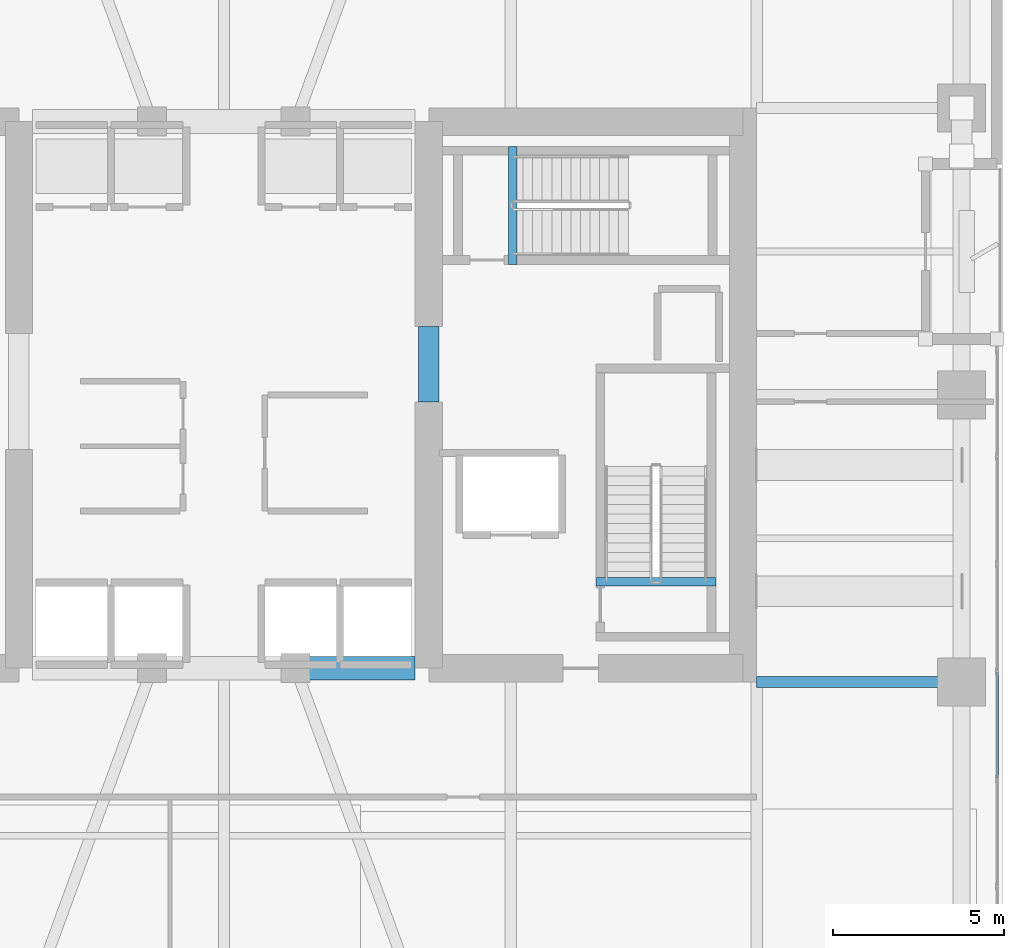
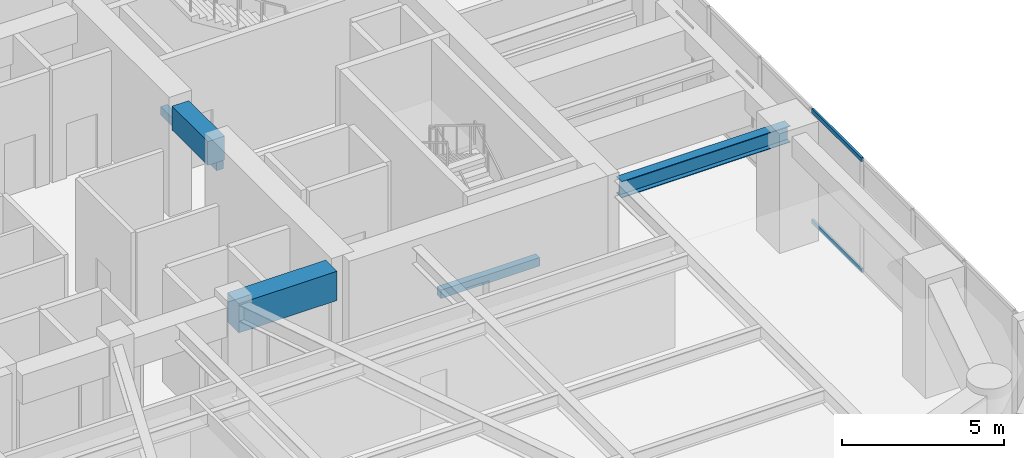
# One storey, part 5 of 23: 5 beams, 2 members, 1 element without a shape of its own.
"""IFC4 building model written with IfcOpenShell, lengths in metres."""

from ifc_helpers import new_model, si_unit, direction, frame, origin, origin_2d, place, context, subcontext, project, spatial, rectangle, hollow_rectangle, i_section, extrude, material, layer, layer_set, material_profile, profile_set, type_object, element, aggregate, save


model = new_model("IFC4")

# Units and contexts
model_context = context("Model", 3, precision=1e-05, world=origin(), true_north=direction((0.0, 1.0)))
body_context = subcontext(model_context, "Body", "Model", "MODEL_VIEW")
ifc_project = project(units=[si_unit("LENGTHUNIT", "METRE"), si_unit("AREAUNIT", "SQUARE_METRE"), si_unit("VOLUMEUNIT", "CUBIC_METRE"), si_unit("PLANEANGLEUNIT", "RADIAN"), si_unit("MASSUNIT", "GRAM", prefix="KILO")], contexts=[model_context])

# Site, building, storey
site_placement = place(None, origin())
site = spatial("IfcSite", under=ifc_project, at=site_placement, CompositionType="ELEMENT")
building_placement = place(site_placement, origin())
building = spatial("IfcBuilding", under=site, at=building_placement, Name="Kiyonajd Concourse Tower", CompositionType="ELEMENT")
storey_placement = place(building_placement, frame((0.0, 0.0, 120.89990234375)))
storey = spatial("IfcBuildingStorey", under=building, at=storey_placement, Name="L31", CompositionType="ELEMENT", Elevation=120.89990234375)

# Beams
ifc_material_1 = material(Name="Concrete C70/85", Category="concrete")
ifc_material_profile_1 = material_profile(ifc_material_1, rectangle(XDim=0.699951171875, YDim=1.10009765625, at=origin_2d()), Name="RCBM-700x1100")
ifc_profile_set_1 = profile_set([ifc_material_profile_1], Name="Concrete C70/85")
beam_type_1 = type_object("IfcBeamType", Name="BM-COUP-1100", PredefinedType="LINTEL", material=ifc_profile_set_1)
beam_1_placement = place(storey_placement, frame((50.10009765625, 28.0, 3.690185546875), z_axis=(1.0, 0.0, 0.0), x_axis=(0.0, 1.0, 0.0)))
element("IfcBeam", 1, at=beam_1_placement, inside=storey, type_object=beam_type_1, Name="L31 Core Coupling Beam S3", PredefinedType="LINTEL", context=body_context, shape_type="SweptSolid", body=[
    extrude(rectangle(XDim=0.699951171875, YDim=1.10009765625, at=origin_2d()), origin(), (0.0, 0.0, 1.0), 3.5),
])
ifc_material_2 = material(Name="Concrete C60/75", Category="concrete")
ifc_material_profile_2 = material_profile(ifc_material_2, rectangle(XDim=0.60009765625, YDim=0.89990234375, at=origin_2d()), Name="RCBM-600x900")
ifc_profile_set_2 = profile_set([ifc_material_profile_2], Name="Concrete C60/75")
beam_type_2 = type_object("IfcBeamType", Name="BM-COUP-900", PredefinedType="LINTEL", material=ifc_profile_set_2)
beam_2_placement = place(storey_placement, frame((54.0, 35.800048828125, 3.690185546875), z_axis=(0.0, 1.0, 0.0), x_axis=(-1.0, 0.0, 0.0)))
element("IfcBeam", 2, at=beam_2_placement, inside=storey, type_object=beam_type_2, Name="L31 East Core Throat Coupling Lintel", PredefinedType="LINTEL", context=body_context, shape_type="SweptSolid", body=[
    extrude(rectangle(XDim=0.60009765625, YDim=0.89990234375, at=origin_2d()), origin(), (0.0, 0.0, 1.0), 2.199951171875),
])
ifc_material_3 = material(Name="Concrete C50/60", Category="concrete")
ifc_material_profile_3 = material_profile(ifc_material_3, rectangle(XDim=0.239990234375, YDim=0.320068359375, at=origin_2d()), Name="RCBM-240x320")
ifc_profile_set_3 = profile_set([ifc_material_profile_3], Name="Concrete C50/60")
beam_type_3 = type_object("IfcBeamType", Name="BM-LNT-250", PredefinedType="LINTEL", material=ifc_profile_set_3)
beam_3_placement = place(storey_placement, frame((58.889892578125, 30.530029296875, -0.159912109375), z_axis=(1.0, 0.0, 0.0), x_axis=(0.0, 1.0, 0.0)))
element("IfcBeam", 3, at=beam_3_placement, inside=storey, type_object=beam_type_3, Name="L31 Stair ST2 Threshold Support Beam", PredefinedType="LINTEL", context=body_context, shape_type="SweptSolid", body=[
    extrude(rectangle(XDim=0.239990234375, YDim=0.320068359375, at=origin_2d()), origin(), (0.0, 0.0, 1.0), 3.52001953125),
])
beam_4_placement = place(storey_placement, frame((56.4599609375, 39.820068359375, -0.159912109375), z_axis=(0.0, 1.0, 0.0), x_axis=(-1.0, 0.0, 0.0)))
element("IfcBeam", 4, at=beam_4_placement, inside=storey, type_object=beam_type_3, Name="L31 Stair ST3 Threshold Support Beam", PredefinedType="LINTEL", context=body_context, shape_type="SweptSolid", body=[
    extrude(rectangle(XDim=0.239990234375, YDim=0.320068359375, at=origin_2d()), origin(), (0.0, 0.0, 1.0), 3.4599609375),
])
ifc_material_4 = material(Name="Steel ASTM A992 Grade 50", Category="steel")
ifc_material_profile_4 = material_profile(ifc_material_4, i_section(OverallWidth=0.326904296875, OverallDepth=0.6220703125, WebThickness=0.015380859375, FlangeThickness=0.0244140625, at=origin_2d()), Name="W610X195")
ifc_profile_set_4 = profile_set([ifc_material_profile_4], Name="Steel ASTM A992 Grade 50")
beam_type_4 = type_object("IfcBeamType", Name="BM-TWR-610A", PredefinedType="BEAM", material=ifc_profile_set_4)
beam_5_placement = place(storey_placement, frame((63.60009765625, 27.60009765625, 3.92919921875), z_axis=(1.0, 0.0, 0.0), x_axis=(0.0, 1.0, 0.0)))
element("IfcBeam", 5, at=beam_5_placement, inside=storey, type_object=beam_type_4, Name="L31 East Lease Girder", PredefinedType="BEAM", context=body_context, shape_type="SweptSolid", body=[
    extrude(i_section(OverallWidth=0.326904296875, OverallDepth=0.6220703125, WebThickness=0.015380859375, FlangeThickness=0.0244140625, at=origin_2d()), origin(), (0.0, 0.0, 1.0), 6.0),
])

# Curtain wall, members
ifc_material_5 = material(Name="Thermally Broken Anodised Aluminium", Category="aluminium")
ifc_layer = layer(ifc_material_5, 0.179931640625)
ifc_layer_set = layer_set([ifc_layer], Name="Thermally Broken Anodised Aluminium")
curtain_wall_type = type_object("IfcCurtainWallType", Name="CW-SYS-05", PredefinedType="NOTDEFINED", material=ifc_layer_set)
curtain_wall_placement = place(storey_placement, origin())
curtain_wall = element("IfcCurtainWall", 6, at=curtain_wall_placement, inside=storey, type_object=curtain_wall_type, Name="L31 Unitised Curtain Wall CW5", PredefinedType="NOTDEFINED")
ifc_material_profile_5 = material_profile(ifc_material_5, hollow_rectangle(XDim=0.074951171875, YDim=0.159912109375, WallThickness=0.0048828125, at=origin_2d()), Name="TRAN-75x160")
ifc_profile_set_5 = profile_set([ifc_material_profile_5], Name="Thermally Broken Anodised Aluminium")
member_type = type_object("IfcMemberType", Name="MB-CW-TRAN2", PredefinedType="USERDEFINED", material=ifc_profile_set_5)
member_1_placement = place(storey_placement, frame((70.639892578125, 27.8671875, 0.03759765625), z_axis=(0.0, -1.0, 0.0), x_axis=(1.0, 0.0, 0.0)))
member_1 = element("IfcMember", 7, at=member_1_placement, type_object=member_type, Name="CW5 transom 4.1", ObjectType="TRANSOM", PredefinedType="USERDEFINED", context=body_context, shape_type="SweptSolid", body=[
    extrude(hollow_rectangle(XDim=0.074951171875, YDim=0.159912109375, WallThickness=0.0048828125, at=origin_2d()), origin(), (0.0, 0.0, 1.0), 3.0732421875),
])
member_2_placement = place(storey_placement, frame((70.639892578125, 27.8671875, 4.20263671875), z_axis=(0.0, -1.0, 0.0), x_axis=(1.0, 0.0, 0.0)))
member_2 = element("IfcMember", 8, at=member_2_placement, type_object=member_type, Name="CW5 transom 4.2", ObjectType="TRANSOM", PredefinedType="USERDEFINED", context=body_context, shape_type="SweptSolid", body=[
    extrude(hollow_rectangle(XDim=0.074951171875, YDim=0.159912109375, WallThickness=0.0048828125, at=origin_2d()), origin(), (0.0, 0.0, 1.0), 3.0732421875),
])
aggregate(curtain_wall, [member_1, member_2])

save(model, "model.ifc")
